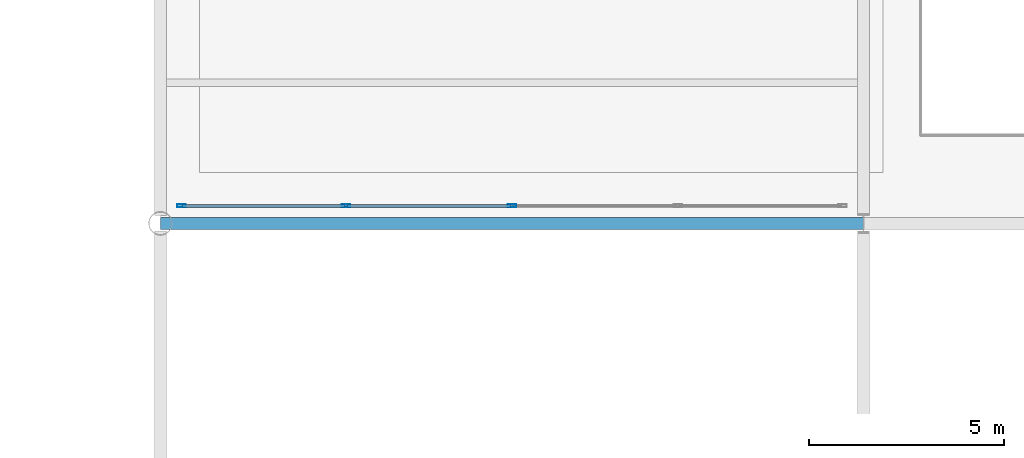
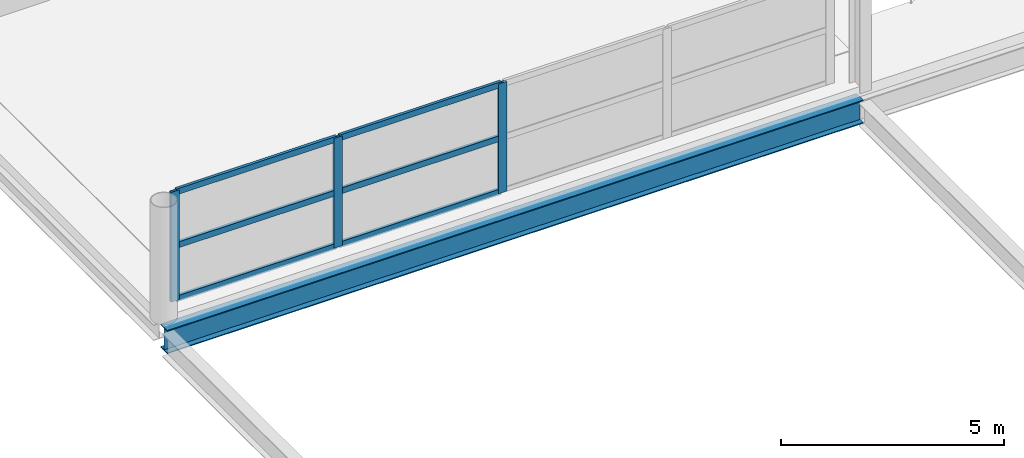
# One storey, part 52 of 134: 9 members, 1 beam, 1 element without a shape of its own.
"""IFC4 building model written with IfcOpenShell, lengths in metres."""

from ifc_helpers import new_model, si_unit, direction, frame, origin, origin_2d, place, context, subcontext, project, spatial, hollow_rectangle, i_section, extrude, material, layer, layer_set, material_profile, profile_set, type_object, element, aggregate, save


model = new_model("IFC4")

# Units and contexts
model_context = context("Model", 3, precision=1e-05, world=origin(), true_north=direction((0.0, 1.0)))
body_context = subcontext(model_context, "Body", "Model", "MODEL_VIEW")
ifc_project = project(units=[si_unit("LENGTHUNIT", "METRE"), si_unit("AREAUNIT", "SQUARE_METRE"), si_unit("VOLUMEUNIT", "CUBIC_METRE"), si_unit("PLANEANGLEUNIT", "RADIAN"), si_unit("MASSUNIT", "GRAM", prefix="KILO")], contexts=[model_context])

# Site, building, storey
site_placement = place(None, origin())
site = spatial("IfcSite", under=ifc_project, at=site_placement, CompositionType="ELEMENT")
building_placement = place(site_placement, origin())
building = spatial("IfcBuilding", under=site, at=building_placement, Name="Tamarisk Ironworks Central Station", CompositionType="ELEMENT")
storey_placement = place(building_placement, frame((0.0, 0.0, 12.60009765625)))
storey = spatial("IfcBuildingStorey", under=building, at=storey_placement, Name="L02", CompositionType="ELEMENT", Elevation=12.60009765625)

# Beam
ifc_material_1 = material(Name="Structural steel S355J2", Category="steel")
ifc_material_profile_1 = material_profile(ifc_material_1, i_section(OverallWidth=0.300048828125, OverallDepth=0.639892578125, WebThickness=0.013427734375, FlangeThickness=0.02587890625, at=origin_2d()), Name="HEA 650")
ifc_profile_set_1 = profile_set([ifc_material_profile_1], Name="Structural steel S355J2")
beam_type = type_object("IfcBeamType", Name="BM-G02", PredefinedType="BEAM", material=ifc_profile_set_1)
beam_placement = place(storey_placement, frame((54.00390625, 79.199951171875, -0.60009765625), z_axis=(1.0, 0.0, 0.0), x_axis=(0.0, 1.0, 0.0)))
element("IfcBeam", 1, at=beam_placement, inside=storey, type_object=beam_type, Name="L02 primary girder X-0360", PredefinedType="BEAM", context=body_context, shape_type="SweptSolid", body=[
    extrude(i_section(OverallWidth=0.300048828125, OverallDepth=0.639892578125, WebThickness=0.013427734375, FlangeThickness=0.02587890625, at=origin_2d()), origin(), (0.0, 0.0, 1.0), 17.9921875),
])

# Curtain wall, members
ifc_material_2 = material(Name="Anodized aluminium alloy 6063-T6", Category="aluminium")
ifc_layer = layer(ifc_material_2, 0.179931640625)
ifc_layer_set = layer_set([ifc_layer], Name="Anodized aluminium alloy 6063-T6")
curtain_wall_type = type_object("IfcCurtainWallType", Name="CW-24", PredefinedType="USERDEFINED", material=ifc_layer_set)
curtain_wall_placement = place(storey_placement, origin())
curtain_wall = element("IfcCurtainWall", 2, at=curtain_wall_placement, inside=storey, type_object=curtain_wall_type, Name="Mezzanine south-west acoustic screen", ObjectType="GLAZED CURTAIN WALL", PredefinedType="USERDEFINED")
ifc_material_profile_2 = material_profile(ifc_material_2, hollow_rectangle(XDim=0.074951171875, YDim=0.219970703125, WallThickness=0.00390625, at=origin_2d()), Name="ALUM 220x75")
ifc_profile_set_2 = profile_set([ifc_material_profile_2], Name="Anodized aluminium alloy 6063-T6")
member_type_1 = type_object("IfcMemberType", Name="CWM-01", PredefinedType="MULLION", material=ifc_profile_set_2)
member_1_placement = place(storey_placement, frame((54.53759765625, 79.64990234375, 0.0), z_axis=(0.0, 0.0, 1.0), x_axis=(0.0, 1.0, 0.0)))
member_1 = element("IfcMember", 3, at=member_1_placement, type_object=member_type_1, Name="CW24 mullion 1", PredefinedType="MULLION", context=body_context, shape_type="SweptSolid", body=[
    extrude(hollow_rectangle(XDim=0.074951171875, YDim=0.219970703125, WallThickness=0.00390625, at=origin_2d()), origin(), (0.0, 0.0, 1.0), 3.0),
])
member_2_placement = place(storey_placement, frame((58.75, 79.64990234375, 0.0), z_axis=(0.0, 0.0, 1.0), x_axis=(0.0, 1.0, 0.0)))
member_2 = element("IfcMember", 4, at=member_2_placement, type_object=member_type_1, Name="CW24 mullion 2", PredefinedType="MULLION", context=body_context, shape_type="SweptSolid", body=[
    extrude(hollow_rectangle(XDim=0.074951171875, YDim=0.219970703125, WallThickness=0.00390625, at=origin_2d()), origin(), (0.0, 0.0, 1.0), 3.0),
])
member_3_placement = place(storey_placement, frame((63.0, 79.64990234375, 0.0), z_axis=(0.0, 0.0, 1.0), x_axis=(0.0, 1.0, 0.0)))
member_3 = element("IfcMember", 5, at=member_3_placement, type_object=member_type_1, Name="CW24 mullion 3", PredefinedType="MULLION", context=body_context, shape_type="SweptSolid", body=[
    extrude(hollow_rectangle(XDim=0.074951171875, YDim=0.219970703125, WallThickness=0.00390625, at=origin_2d()), origin(), (0.0, 0.0, 1.0), 3.0),
])
ifc_material_profile_3 = material_profile(ifc_material_2, hollow_rectangle(XDim=0.074951171875, YDim=0.159912109375, WallThickness=0.00390625, at=origin_2d()), Name="ALUM 160x75")
ifc_profile_set_3 = profile_set([ifc_material_profile_3], Name="Anodized aluminium alloy 6063-T6")
member_type_2 = type_object("IfcMemberType", Name="CWT-01", PredefinedType="USERDEFINED", material=ifc_profile_set_3)
member_4_placement = place(storey_placement, frame((54.571044921875, 79.64990234375, 0.037353515625), z_axis=(1.0, 0.0, 0.0), x_axis=(0.0, 1.0, 0.0)))
member_4 = element("IfcMember", 6, at=member_4_placement, type_object=member_type_2, Name="CW24 transom 1.1", ObjectType="TRANSOM", PredefinedType="USERDEFINED", context=body_context, shape_type="SweptSolid", body=[
    extrude(hollow_rectangle(XDim=0.074951171875, YDim=0.159912109375, WallThickness=0.00390625, at=origin_2d()), origin(), (0.0, 0.0, 1.0), 4.1455078125),
])
member_5_placement = place(storey_placement, frame((54.571044921875, 79.64990234375, 1.5), z_axis=(1.0, 0.0, 0.0), x_axis=(0.0, 1.0, 0.0)))
member_5 = element("IfcMember", 7, at=member_5_placement, type_object=member_type_2, Name="CW24 transom 1.2", ObjectType="TRANSOM", PredefinedType="USERDEFINED", context=body_context, shape_type="SweptSolid", body=[
    extrude(hollow_rectangle(XDim=0.074951171875, YDim=0.159912109375, WallThickness=0.00390625, at=origin_2d()), origin(), (0.0, 0.0, 1.0), 4.1455078125),
])
member_6_placement = place(storey_placement, frame((54.571044921875, 79.64990234375, 2.96240234375), z_axis=(1.0, 0.0, 0.0), x_axis=(0.0, 1.0, 0.0)))
member_6 = element("IfcMember", 8, at=member_6_placement, type_object=member_type_2, Name="CW24 transom 1.3", ObjectType="TRANSOM", PredefinedType="USERDEFINED", context=body_context, shape_type="SweptSolid", body=[
    extrude(hollow_rectangle(XDim=0.074951171875, YDim=0.159912109375, WallThickness=0.00390625, at=origin_2d()), origin(), (0.0, 0.0, 1.0), 4.1455078125),
])
member_7_placement = place(storey_placement, frame((58.783447265625, 79.64990234375, 0.037353515625), z_axis=(1.0, 0.0, 0.0), x_axis=(0.0, 1.0, 0.0)))
member_7 = element("IfcMember", 9, at=member_7_placement, type_object=member_type_2, Name="CW24 transom 2.1", ObjectType="TRANSOM", PredefinedType="USERDEFINED", context=body_context, shape_type="SweptSolid", body=[
    extrude(hollow_rectangle(XDim=0.074951171875, YDim=0.159912109375, WallThickness=0.00390625, at=origin_2d()), origin(), (0.0, 0.0, 1.0), 4.18310546875),
])
member_8_placement = place(storey_placement, frame((58.783447265625, 79.64990234375, 1.5), z_axis=(1.0, 0.0, 0.0), x_axis=(0.0, 1.0, 0.0)))
member_8 = element("IfcMember", 10, at=member_8_placement, type_object=member_type_2, Name="CW24 transom 2.2", ObjectType="TRANSOM", PredefinedType="USERDEFINED", context=body_context, shape_type="SweptSolid", body=[
    extrude(hollow_rectangle(XDim=0.074951171875, YDim=0.159912109375, WallThickness=0.00390625, at=origin_2d()), origin(), (0.0, 0.0, 1.0), 4.18310546875),
])
member_9_placement = place(storey_placement, frame((58.783447265625, 79.64990234375, 2.96240234375), z_axis=(1.0, 0.0, 0.0), x_axis=(0.0, 1.0, 0.0)))
member_9 = element("IfcMember", 11, at=member_9_placement, type_object=member_type_2, Name="CW24 transom 2.3", ObjectType="TRANSOM", PredefinedType="USERDEFINED", context=body_context, shape_type="SweptSolid", body=[
    extrude(hollow_rectangle(XDim=0.074951171875, YDim=0.159912109375, WallThickness=0.00390625, at=origin_2d()), origin(), (0.0, 0.0, 1.0), 4.18310546875),
])
aggregate(curtain_wall, [member_1, member_2, member_3, member_4, member_5, member_6, member_7, member_8, member_9])

save(model, "model.ifc")
